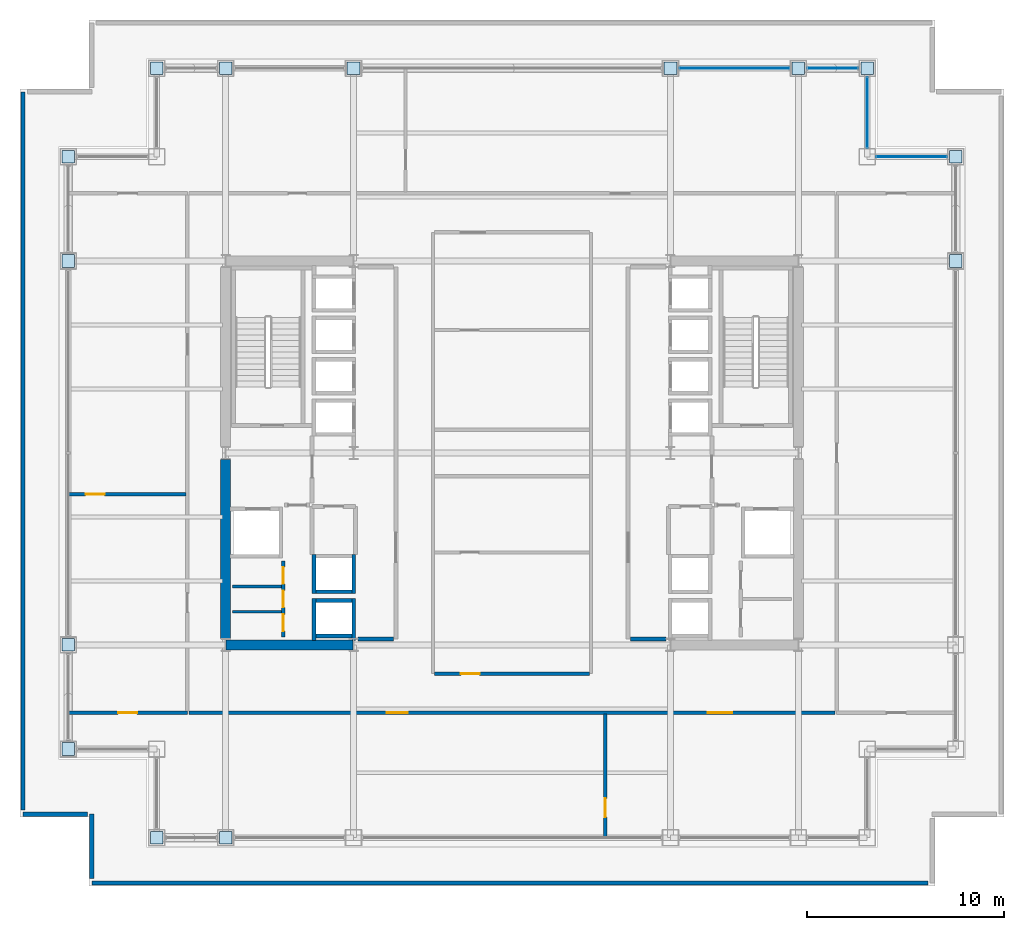
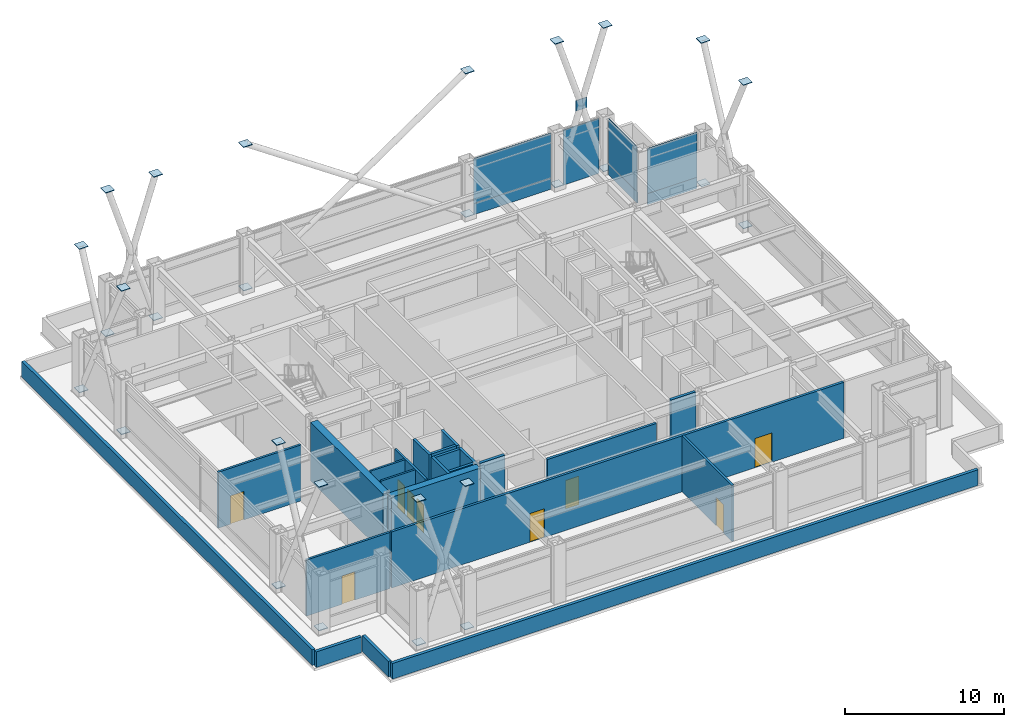
# One storey, part 28 of 32: 36 plates, 23 walls, 9 doors, 9 openings, 4 elements without a shape of their own.
"""IFC4 building model written with IfcOpenShell, lengths in metres."""

from ifc_helpers import new_model, si_unit, direction, frame, frame_2d, origin, origin_2d, place, context, subcontext, project, spatial, rectangle, extrude, material, layer, layer_set, type_object, element, fill, aggregate, save


model = new_model("IFC4")

# Units and contexts
model_context = context("Model", 3, precision=1e-05, world=origin(), true_north=direction((0.0, 1.0)))
body_context = subcontext(model_context, "Body", "Model", "MODEL_VIEW")
ifc_project = project(units=[si_unit("LENGTHUNIT", "METRE"), si_unit("AREAUNIT", "SQUARE_METRE"), si_unit("VOLUMEUNIT", "CUBIC_METRE"), si_unit("PLANEANGLEUNIT", "RADIAN"), si_unit("MASSUNIT", "GRAM", prefix="KILO")], contexts=[model_context])

# Site, building, storey
site_placement = place(None, origin())
site = spatial("IfcSite", under=ifc_project, at=site_placement, CompositionType="ELEMENT")
building_placement = place(site_placement, origin())
building = spatial("IfcBuilding", under=site, at=building_placement, Name="Brelmoor Portico Tower", CompositionType="ELEMENT")
storey_placement = place(building_placement, frame((0.0, 0.0, 87.300048828125)))
storey = spatial("IfcBuildingStorey", under=building, at=storey_placement, Name="L22", CompositionType="ELEMENT", Elevation=87.300048828125)

# Plates
ifc_material_1 = material(Name="Steel Q355B", Category="steel")
ifc_layer_1 = layer(ifc_material_1, 0.044921875)
ifc_layer_set_1 = layer_set([ifc_layer_1], Name="Steel Q355B")
plate_type_1 = type_object("IfcPlateType", Name="PT-CAP-650", PredefinedType="SHEET", material=ifc_layer_set_1)
for number, where, z_axis, x_axis, name in (
    (1, (-18.050048828125, -19.550048828125, 0.2275390625), (0.0, 0.0, 1.0), (1.0, 0.0, 0.0), "L22 Continuous Mega-X Brace 043A Joint Cap Plate 1"),
    (2, (-14.550048828125, -19.550048828125, 11.2275390625), (0.0, 0.0, 1.0), (1.0, 0.0, 0.0), "L22 Continuous Mega-X Brace 043A Joint Cap Plate 2"),
    (3, (-14.550048828125, -19.550048828125, 0.2275390625), (0.0, 0.0, 1.0), (1.0, 0.0, 0.0), "L22 Split Mega-X Brace 043B1 Joint Cap Plate 1"),
    (4, (-18.050048828125, -19.550048828125, 11.2275390625), (0.0, 0.0, 1.0), (1.0, 0.0, 0.0), "L22 Split Mega-X Brace 043B2 Joint Cap Plate 2"),
    (5, (-18.050048828125, 19.550048828125, 0.2275390625), (0.0, 0.0, 1.0), (1.0, 0.0, 0.0), "L22 Continuous Mega-X Brace 044A Joint Cap Plate 1"),
    (6, (-14.550048828125, 19.550048828125, 11.2275390625), (0.0, 0.0, 1.0), (1.0, 0.0, 0.0), "L22 Continuous Mega-X Brace 044A Joint Cap Plate 2"),
    (7, (-14.550048828125, 19.550048828125, 0.2275390625), (0.0, 0.0, 1.0), (1.0, 0.0, 0.0), "L22 Split Mega-X Brace 044B1 Joint Cap Plate 1"),
    (8, (-18.050048828125, 19.550048828125, 11.2275390625), (0.0, 0.0, 1.0), (1.0, 0.0, 0.0), "L22 Split Mega-X Brace 044B2 Joint Cap Plate 2"),
    (9, (-8.050048828125, 19.550048828125, 0.2275390625), (0.0, 0.0, 1.0), (1.0, 0.0, 0.0), "L22 Continuous Mega-X Brace 045A Joint Cap Plate 1"),
    (10, (8.050048828125, 19.550048828125, 11.2275390625), (0.0, 0.0, 1.0), (1.0, 0.0, 0.0), "L22 Continuous Mega-X Brace 045A Joint Cap Plate 2"),
    (11, (8.050048828125, 19.550048828125, 0.2275390625), (0.0, 0.0, 1.0), (1.0, 0.0, 0.0), "L22 Split Mega-X Brace 045B1 Joint Cap Plate 1"),
    (12, (-8.050048828125, 19.550048828125, 11.2275390625), (0.0, 0.0, 1.0), (1.0, 0.0, 0.0), "L22 Split Mega-X Brace 045B2 Joint Cap Plate 2"),
    (13, (14.550048828125, 19.550048828125, 0.2275390625), (0.0, 0.0, 1.0), (1.0, 0.0, 0.0), "L22 Continuous Mega-X Brace 046A Joint Cap Plate 1"),
    (14, (18.050048828125, 19.550048828125, 11.2275390625), (0.0, 0.0, 1.0), (1.0, 0.0, 0.0), "L22 Continuous Mega-X Brace 046A Joint Cap Plate 2"),
    (15, (18.050048828125, 19.550048828125, 0.2275390625), (0.0, 0.0, 1.0), (1.0, 0.0, 0.0), "L22 Split Mega-X Brace 046B1 Joint Cap Plate 1"),
    (16, (14.550048828125, 19.550048828125, 11.2275390625), (0.0, 0.0, 1.0), (1.0, 0.0, 0.0), "L22 Split Mega-X Brace 046B2 Joint Cap Plate 2"),
    (17, (-22.550048828125, -15.050048828125, 0.2275390625), (0.0, 0.0, 1.0), (1.0, 0.0, 0.0), "L22 Continuous Mega-X Brace 047A Joint Cap Plate 1"),
    (18, (-22.550048828125, -9.75, 11.2275390625), (0.0, 0.0, 1.0), (1.0, 0.0, 0.0), "L22 Continuous Mega-X Brace 047A Joint Cap Plate 2"),
    (19, (-22.550048828125, -9.75, 0.2275390625), (0.0, 0.0, 1.0), (1.0, 0.0, 0.0), "L22 Split Mega-X Brace 047B1 Joint Cap Plate 1"),
    (20, (-22.550048828125, -15.050048828125, 11.2275390625), (0.0, 0.0, 1.0), (1.0, 0.0, 0.0), "L22 Split Mega-X Brace 047B2 Joint Cap Plate 2"),
    (21, (-22.550048828125, 9.75, 0.2275390625), (0.0, 0.0, 1.0), (1.0, 0.0, 0.0), "L22 Continuous Mega-X Brace 048A Joint Cap Plate 1"),
    (22, (-22.550048828125, 15.050048828125, 11.2275390625), (0.0, 0.0, 1.0), (1.0, 0.0, 0.0), "L22 Continuous Mega-X Brace 048A Joint Cap Plate 2"),
    (23, (-22.550048828125, 15.050048828125, 0.2275390625), (0.0, 0.0, 1.0), (1.0, 0.0, 0.0), "L22 Split Mega-X Brace 048B1 Joint Cap Plate 1"),
    (24, (-22.550048828125, 9.75, 11.2275390625), (0.0, 0.0, 1.0), (1.0, 0.0, 0.0), "L22 Split Mega-X Brace 048B2 Joint Cap Plate 2"),
    (25, (22.550048828125, 9.75, 0.2275390625), (0.0, 0.0, 1.0), (1.0, 0.0, 0.0), "L22 Continuous Mega-X Brace 049A Joint Cap Plate 1"),
    (26, (22.550048828125, 15.050048828125, 11.2275390625), (0.0, 0.0, 1.0), (1.0, 0.0, 0.0), "L22 Continuous Mega-X Brace 049A Joint Cap Plate 2"),
    (27, (22.550048828125, 15.050048828125, 0.2275390625), (0.0, 0.0, 1.0), (1.0, 0.0, 0.0), "L22 Split Mega-X Brace 049B1 Joint Cap Plate 1"),
    (28, (22.550048828125, 9.75, 11.2275390625), (0.0, 0.0, 1.0), (1.0, 0.0, 0.0), "L22 Split Mega-X Brace 049B2 Joint Cap Plate 2"),
):
    element("IfcPlate", number, at=place(storey_placement, frame(where, z_axis=z_axis, x_axis=x_axis)), inside=storey, type_object=plate_type_1, Name=name, PredefinedType="SHEET", context=body_context, shape_type="SweptSolid", body=[
        extrude(rectangle(XDim=0.64990234375, YDim=0.64990234375, at=origin_2d()), origin(), (0.0, 0.0, 1.0), 0.044921875),
    ])

# Curtain wall, plate
ifc_material_2 = material(Name="Anodised Aluminium Alloy 6063-T6", Category="aluminium")
ifc_layer_2 = layer(ifc_material_2, 0.179931640625)
ifc_layer_set_2 = layer_set([ifc_layer_2], Name="Anodised Aluminium Alloy 6063-T6")
curtain_wall_type_1 = type_object("IfcCurtainWallType", Name="CW-SKYLOBBY", PredefinedType="NOTDEFINED", material=ifc_layer_set_2)
curtain_wall_1_placement = place(storey_placement, origin())
curtain_wall_1 = element("IfcCurtainWall", 29, at=curtain_wall_1_placement, inside=storey, type_object=curtain_wall_type_1, Name="L22 Curtain Wall CW-L22-02-4", PredefinedType="NOTDEFINED")
ifc_material_3 = material(Name="Double-Silver Low-E Insulated Glazing", Category="glass")
ifc_layer_3 = layer(ifc_material_3, 0.035888671875)
ifc_layer_set_3 = layer_set([ifc_layer_3], Name="Double-Silver Low-E Insulated Glazing")
plate_type_2 = type_object("IfcPlateType", Name="PT-CW-GLASS", PredefinedType="CURTAIN_PANEL", material=ifc_layer_set_3)
plate_1_placement = place(storey_placement, frame((11.300048828125, 19.550048828125, 0.85009765625), z_axis=(0.0, 0.0, 1.0), x_axis=(1.0, 0.0, 0.0)))
plate_1 = element("IfcPlate", 30, at=plate_1_placement, type_object=plate_type_2, Name="CW-L22-02-4 Vision Glass Panel 00", PredefinedType="CURTAIN_PANEL", context=body_context, shape_type="SweptSolid", body=[
    extrude(rectangle(XDim=5.60009765625, YDim=0.035888671875, at=origin_2d()), origin(), (0.0, 0.0, 1.0), 3.449951171875),
])

ifc_layer_4 = layer(ifc_material_2, 0.179931640625)
ifc_layer_set_4 = layer_set([ifc_layer_4], Name="Anodised Aluminium Alloy 6063-T6")
curtain_wall_type_2 = type_object("IfcCurtainWallType", Name="CW-NOTCH-CHAMFER", PredefinedType="NOTDEFINED", material=ifc_layer_set_4)
curtain_wall_2_placement = place(storey_placement, origin())
curtain_wall_2 = element("IfcCurtainWall", 31, at=curtain_wall_2_placement, inside=storey, type_object=curtain_wall_type_2, Name="L22 Curtain Wall CWN-L22-NEH", PredefinedType="NOTDEFINED")
plate_2_placement = place(storey_placement, frame((20.300048828125, 15.050048828125, 0.85009765625), z_axis=(0.0, 0.0, 1.0), x_axis=(1.0, 0.0, 0.0)))
plate_2 = element("IfcPlate", 32, at=plate_2_placement, type_object=plate_type_2, Name="CWN-L22-NEH Vision Glass Panel 00", PredefinedType="CURTAIN_PANEL", context=body_context, shape_type="SweptSolid", body=[
    extrude(rectangle(XDim=3.60009765625, YDim=0.035888671875, at=origin_2d()), origin(), (0.0, 0.0, 1.0), 3.449951171875),
])

curtain_wall_3_placement = place(storey_placement, origin())
curtain_wall_3 = element("IfcCurtainWall", 33, at=curtain_wall_3_placement, inside=storey, type_object=curtain_wall_type_2, Name="L22 Curtain Wall CWN-L22-NEV", PredefinedType="NOTDEFINED")
plate_3_placement = place(storey_placement, frame((18.050048828125, 17.300048828125, 0.85009765625), z_axis=(0.0, 0.0, 1.0), x_axis=(0.0, 1.0, 0.0)))
plate_3 = element("IfcPlate", 34, at=plate_3_placement, type_object=plate_type_2, Name="CWN-L22-NEV Vision Glass Panel 00", PredefinedType="CURTAIN_PANEL", context=body_context, shape_type="SweptSolid", body=[
    extrude(rectangle(XDim=3.60009765625, YDim=0.035888671875, at=origin_2d()), origin(), (0.0, 0.0, 1.0), 3.449951171875),
])

# Plate
ifc_material_4 = material(Name="Pale Champagne Anodised Aluminium Panel", Category="aluminium")
ifc_layer_5 = layer(ifc_material_4, 0.050048828125)
ifc_layer_set_5 = layer_set([ifc_layer_5], Name="Pale Champagne Anodised Aluminium Panel")
plate_type_3 = type_object("IfcPlateType", Name="PT-CW-SPANDREL", PredefinedType="SHEET", material=ifc_layer_set_5)
plate_4_placement = place(storey_placement, frame((11.300048828125, 19.550048828125, 0.0), z_axis=(0.0, 0.0, 1.0), x_axis=(1.0, 0.0, 0.0)))
plate_4 = element("IfcPlate", 35, at=plate_4_placement, type_object=plate_type_3, Name="CW-L22-02-4 Spandrel Panel 00", PredefinedType="SHEET", context=body_context, shape_type="SweptSolid", body=[
    extrude(rectangle(XDim=5.60009765625, YDim=0.050048828125, at=origin_2d()), origin(), (0.0, 0.0, 1.0), 0.85009765625),
])

aggregate(curtain_wall_1, [plate_4, plate_1])

# Curtain wall, plate
ifc_layer_6 = layer(ifc_material_2, 0.179931640625)
ifc_layer_set_6 = layer_set([ifc_layer_6], Name="Anodised Aluminium Alloy 6063-T6")
curtain_wall_type_3 = type_object("IfcCurtainWallType", Name="CW-SKYLOBBY-XB", PredefinedType="NOTDEFINED", material=ifc_layer_set_6)
curtain_wall_4_placement = place(storey_placement, origin())
curtain_wall_4 = element("IfcCurtainWall", 36, at=curtain_wall_4_placement, inside=storey, type_object=curtain_wall_type_3, Name="L22 Curtain Wall CW-L22-02-5", PredefinedType="NOTDEFINED")
plate_5_placement = place(storey_placement, frame((16.300048828125, 19.550048828125, 0.0), z_axis=(0.0, 0.0, 1.0), x_axis=(1.0, 0.0, 0.0)))
plate_5 = element("IfcPlate", 37, at=plate_5_placement, type_object=plate_type_3, Name="CW-L22-02-5 Spandrel Panel 00", PredefinedType="SHEET", context=body_context, shape_type="SweptSolid", body=[
    extrude(rectangle(XDim=2.60009765625, YDim=0.050048828125, at=origin_2d()), origin(), (0.0, 0.0, 1.0), 4.219970703125),
])
aggregate(curtain_wall_4, [plate_5])

# Plate
plate_6_placement = place(storey_placement, frame((20.300048828125, 15.050048828125, 0.0), z_axis=(0.0, 0.0, 1.0), x_axis=(1.0, 0.0, 0.0)))
plate_6 = element("IfcPlate", 38, at=plate_6_placement, type_object=plate_type_3, Name="CWN-L22-NEH Spandrel Panel 00", PredefinedType="SHEET", context=body_context, shape_type="SweptSolid", body=[
    extrude(rectangle(XDim=3.60009765625, YDim=0.050048828125, at=origin_2d()), origin(), (0.0, 0.0, 1.0), 0.85009765625),
])

aggregate(curtain_wall_2, [plate_6, plate_2])

plate_7_placement = place(storey_placement, frame((18.050048828125, 17.300048828125, 0.0), z_axis=(0.0, 0.0, 1.0), x_axis=(0.0, 1.0, 0.0)))
plate_7 = element("IfcPlate", 39, at=plate_7_placement, type_object=plate_type_3, Name="CWN-L22-NEV Spandrel Panel 00", PredefinedType="SHEET", context=body_context, shape_type="SweptSolid", body=[
    extrude(rectangle(XDim=3.60009765625, YDim=0.050048828125, at=origin_2d()), origin(), (0.0, 0.0, 1.0), 0.85009765625),
])

aggregate(curtain_wall_3, [plate_7, plate_3])

ifc_layer_7 = layer(ifc_material_1, 0.050048828125)
ifc_layer_set_7 = layer_set([ifc_layer_7], Name="Steel Q355B")
plate_type_4 = type_object("IfcPlateType", Name="PT-GUSSET-800", PredefinedType="USERDEFINED", material=ifc_layer_set_7)
plate_8_placement = place(storey_placement, frame((16.300048828125, 19.550048828125, 5.35009765625), z_axis=(0.0, 0.0, 1.0), x_axis=(1.0, 0.0, 0.0)))
element("IfcPlate", 40, at=plate_8_placement, inside=storey, type_object=plate_type_4, Name="L22 Perimeter Mega-Brace Gusset 046", ObjectType="GUSSET PLATE", PredefinedType="USERDEFINED", context=body_context, shape_type="SweptSolid", body=[
    extrude(rectangle(XDim=0.800048828125, YDim=0.050048828125, at=origin_2d()), origin(), (0.0, 0.0, 1.0), 0.800048828125),
])

# Walls
ifc_material_5 = material(Name="Concrete C60", Category="concrete")
ifc_layer_8 = layer(ifc_material_5, 0.5)
ifc_layer_set_8 = layer_set([ifc_layer_8], Name="Concrete C60")
wall_type_1 = type_object("IfcWallType", Name="WL-CORE-500", PredefinedType="SHEAR", material=ifc_layer_set_8)
wall_1_placement = place(storey_placement, frame((-14.530029296875, -9.75, -0.199951171875), z_axis=(0.0, 0.0, 1.0), x_axis=(1.0, 0.0, 0.0)))
element("IfcWall", 41, at=wall_1_placement, inside=storey, type_object=wall_type_1, Name="L22 WC South Shear Wall", PredefinedType="SHEAR", context=body_context, shape_type="SweptSolid", body=[
    extrude(rectangle(XDim=6.4599609375, YDim=0.5, at=frame_2d((3.22998046875, 0.0))), origin(), (0.0, 0.0, 1.0), 4.5),
])
wall_2_placement = place(storey_placement, frame((-14.550048828125, -9.425048828125, -0.199951171875), z_axis=(0.0, 0.0, 1.0), x_axis=(0.0, 1.0, 0.0)))
element("IfcWall", 42, at=wall_2_placement, inside=storey, type_object=wall_type_1, Name="L22 WC Outer South Shear Wall", PredefinedType="SHEAR", context=body_context, shape_type="SweptSolid", body=[
    extrude(rectangle(XDim=9.10009765625, YDim=0.5, at=frame_2d((4.550048828125, 0.0))), origin(), (0.0, 0.0, 1.0), 4.5),
])
ifc_material_6 = material(Name="Concrete C40 Parapet Upstand", Category="concrete")
ifc_layer_9 = layer(ifc_material_6, 0.219970703125)
ifc_layer_set_9 = layer_set([ifc_layer_9], Name="Concrete C40 Parapet Upstand")
wall_type_2 = type_object("IfcWallType", Name="WL-PARAPET-220", PredefinedType="PARAPET", material=ifc_layer_set_9)
wall_3_placement = place(storey_placement, frame((-21.35009765625, -21.85009765625, 0.0), z_axis=(0.0, 0.0, 1.0), x_axis=(1.0, 0.0, 0.0)))
element("IfcWall", 43, at=wall_3_placement, inside=storey, type_object=wall_type_2, Name="L22 Roof Parapet Wall 01", PredefinedType="PARAPET", context=body_context, shape_type="SweptSolid", body=[
    extrude(rectangle(XDim=42.47998046875, YDim=0.219970703125, at=frame_2d((21.239990234375, 0.0))), origin(), (0.0, 0.0, 1.0), 1.199951171875),
])
wall_4_placement = place(storey_placement, frame((-24.85009765625, 18.35009765625, 0.0), z_axis=(0.0, 0.0, 1.0), x_axis=(0.0, -1.0, 0.0)))
element("IfcWall", 44, at=wall_4_placement, inside=storey, type_object=wall_type_2, Name="L22 Roof Parapet Wall 10", PredefinedType="PARAPET", context=body_context, shape_type="SweptSolid", body=[
    extrude(rectangle(XDim=36.47998046875, YDim=0.219970703125, at=frame_2d((18.239990234375, 0.0))), origin(), (0.0, 0.0, 1.0), 1.199951171875),
])
wall_5_placement = place(storey_placement, frame((-24.85009765625, -18.35009765625, 0.0), z_axis=(0.0, 0.0, 1.0), x_axis=(1.0, 0.0, 0.0)))
element("IfcWall", 45, at=wall_5_placement, inside=storey, type_object=wall_type_2, Name="L22 Roof Parapet Wall 11", PredefinedType="PARAPET", context=body_context, shape_type="SweptSolid", body=[
    extrude(rectangle(XDim=3.280029296875, YDim=0.219970703125, at=frame_2d((1.64013671875, 0.0))), origin(), (0.0, 0.0, 1.0), 1.199951171875),
])
wall_6_placement = place(storey_placement, frame((-21.35009765625, -18.35009765625, 0.0), z_axis=(0.0, 0.0, 1.0), x_axis=(0.0, -1.0, 0.0)))
element("IfcWall", 46, at=wall_6_placement, inside=storey, type_object=wall_type_2, Name="L22 Roof Parapet Wall 12", PredefinedType="PARAPET", context=body_context, shape_type="SweptSolid", body=[
    extrude(rectangle(XDim=3.27978515625, YDim=0.219970703125, at=frame_2d((1.639892578125, 0.0))), origin(), (0.0, 0.0, 1.0), 1.199951171875),
])
ifc_material_7 = material(Name="Insulated Stud Suite Partition", Category="gypsum")
ifc_layer_10 = layer(ifc_material_7, 0.139892578125)
ifc_layer_set_10 = layer_set([ifc_layer_10], Name="Insulated Stud Suite Partition")
wall_type_3 = type_object("IfcWallType", Name="WL-PART-140", PredefinedType="PARTITIONING", material=ifc_layer_set_10)
for number, where, z_axis, x_axis, name in (
    (47, (-11.699951171875, -8.066650390625, 0.0), (0.0, 0.0, 1.0), (-1.0, 0.0, 0.0), "L22 W Core WC Divider 1"),
    (48, (-11.699951171875, -6.783203125, 0.0), (0.0, 0.0, 1.0), (-1.0, 0.0, 0.0), "L22 W Core WC Divider 2"),
):
    element("IfcWall", number, at=place(storey_placement, frame(where, z_axis=z_axis, x_axis=x_axis)), inside=storey, type_object=wall_type_3, Name=name, PredefinedType="PARTITIONING", context=body_context, shape_type="SweptSolid", body=[
        extrude(rectangle(XDim=2.5, YDim=0.139892578125, at=frame_2d((1.25, 0.0))), origin(), (0.0, 0.0, 1.0), 4.300048828125),
    ])

# Wall, openings, doors
ifc_material_8 = material(Name="Twin-Frame Acoustic Partition", Category="gypsum")
ifc_layer_11 = layer(ifc_material_8, 0.159912109375)
ifc_layer_set_11 = layer_set([ifc_layer_11], Name="Twin-Frame Acoustic Partition")
wall_type_4 = type_object("IfcWallType", Name="WL-PART-160", PredefinedType="PARTITIONING", material=ifc_layer_set_11)
wall_7_placement = place(storey_placement, frame((-11.6201171875, -9.35009765625, 0.0), z_axis=(0.0, 0.0, 1.0), x_axis=(0.0, 1.0, 0.0)))
wall_7 = element("IfcWall", 49, at=wall_7_placement, inside=storey, type_object=wall_type_4, Name="L22 W Core Service Front Wall", PredefinedType="PARTITIONING", context=body_context, shape_type="SweptSolid", body=[
    extrude(rectangle(XDim=3.85009765625, YDim=0.159912109375, at=frame_2d((1.925048828125, 0.0))), origin(), (0.0, 0.0, 1.0), 4.300048828125),
])
opening_1_placement = place(wall_7_placement, frame((0.300048828125, 0.0, 0.0)))
opening_1 = element("IfcOpeningElement", 50, at=opening_1_placement, cuts=wall_7, Name="Opening D-WC1", PredefinedType="OPENING", context=body_context, shape_type="SweptSolid", body=[
    extrude(rectangle(XDim=0.85009765625, YDim=2.1201171875, at=frame_2d((0.425048828125, 1.06005859375))), frame((0.0, 0.08984375, 0.0), z_axis=(0.0, -1.0, 0.0), x_axis=(1.0, 0.0, 0.0)), (0.0, 0.0, 1.0), 0.179931640625),
])
opening_2_placement = place(wall_7_placement, frame((1.5, 0.0, 0.0)))
opening_2 = element("IfcOpeningElement", 51, at=opening_2_placement, cuts=wall_7, Name="Opening D-WC1", PredefinedType="OPENING", context=body_context, shape_type="SweptSolid", body=[
    extrude(rectangle(XDim=0.85009765625, YDim=2.1201171875, at=frame_2d((0.425048828125, 1.06005859375))), frame((0.0, 0.08984375, 0.0), z_axis=(0.0, -1.0, 0.0), x_axis=(1.0, 0.0, 0.0)), (0.0, 0.0, 1.0), 0.179931640625),
])
opening_3_placement = place(wall_7_placement, frame((2.699951171875, 0.0, 0.0)))
opening_3 = element("IfcOpeningElement", 52, at=opening_3_placement, cuts=wall_7, Name="Opening D-WC1", PredefinedType="OPENING", context=body_context, shape_type="SweptSolid", body=[
    extrude(rectangle(XDim=0.85009765625, YDim=2.1201171875, at=frame_2d((0.425048828125, 1.06005859375))), frame((0.0, 0.08984375, 0.0), z_axis=(0.0, -1.0, 0.0), x_axis=(1.0, 0.0, 0.0)), (0.0, 0.0, 1.0), 0.179931640625),
])
ifc_material_9 = material(Name="Moisture-Resistant Laminate WC Door", Category="timber")
door_type_1 = type_object("IfcDoorType", Name="DR-WC-850", OperationType="NOTDEFINED", PredefinedType="DOOR", material=ifc_material_9)
door_1_placement = place(opening_1_placement, origin())
door_1 = element("IfcDoor", 53, at=door_1_placement, inside=storey, type_object=door_type_1, Name="D-0981 L22 W Accessible WC Door", OperationType="SINGLE_SWING_RIGHT", OverallHeight=2.1201171875, OverallWidth=0.85009765625, PredefinedType="DOOR", context=body_context, shape_type="SweptSolid", body=[
    extrude(rectangle(XDim=0.85009765625, YDim=2.1201171875, at=frame_2d((0.425048828125, 1.06005859375))), frame((0.0, 0.02490234375, 0.0), z_axis=(0.0, -1.0, 0.0), x_axis=(1.0, 0.0, 0.0)), (0.0, 0.0, 1.0), 0.050048828125),
])
fill(opening_1, door_1)
door_2_placement = place(opening_2_placement, origin())
door_2 = element("IfcDoor", 54, at=door_2_placement, inside=storey, type_object=door_type_1, Name="D-0982 L22 W Staff WC Door", OperationType="SINGLE_SWING_LEFT", OverallHeight=2.1201171875, OverallWidth=0.85009765625, PredefinedType="DOOR", context=body_context, shape_type="SweptSolid", body=[
    extrude(rectangle(XDim=0.85009765625, YDim=2.1201171875, at=frame_2d((0.425048828125, 1.06005859375))), frame((0.0, 0.02490234375, 0.0), z_axis=(0.0, -1.0, 0.0), x_axis=(1.0, 0.0, 0.0)), (0.0, 0.0, 1.0), 0.050048828125),
])
fill(opening_2, door_2)
door_3_placement = place(opening_3_placement, origin())
door_3 = element("IfcDoor", 55, at=door_3_placement, inside=storey, type_object=door_type_1, Name="D-0983 L22 W Cleaner Store Door", OperationType="SINGLE_SWING_RIGHT", OverallHeight=2.1201171875, OverallWidth=0.85009765625, PredefinedType="DOOR", context=body_context, shape_type="SweptSolid", body=[
    extrude(rectangle(XDim=0.85009765625, YDim=2.1201171875, at=frame_2d((0.425048828125, 1.06005859375))), frame((0.0, 0.02490234375, 0.0), z_axis=(0.0, -1.0, 0.0), x_axis=(1.0, 0.0, 0.0)), (0.0, 0.0, 1.0), 0.050048828125),
])
fill(opening_3, door_3)

# Wall, opening, door
wall_8_placement = place(storey_placement, frame((4.73486328125, -19.56005859375, 0.0), z_axis=(0.0, 0.0, 1.0), x_axis=(0.0, 1.0, 0.0)))
wall_8 = element("IfcWall", 56, at=wall_8_placement, inside=storey, type_object=wall_type_4, Name="L22 South Suite Partition 1", PredefinedType="PARTITIONING", context=body_context, shape_type="SweptSolid", body=[
    extrude(rectangle(XDim=6.300048828125, YDim=0.159912109375, at=frame_2d((3.14990234375, 0.0))), origin(), (0.0, 0.0, 1.0), 4.300048828125),
])
opening_4_placement = place(wall_8_placement, frame((1.050048828125, 0.0, 0.0)))
opening_4 = element("IfcOpeningElement", 57, at=opening_4_placement, cuts=wall_8, Name="Opening D-IN2", PredefinedType="OPENING", context=body_context, shape_type="SweptSolid", body=[
    extrude(rectangle(XDim=0.9599609375, YDim=2.179931640625, at=frame_2d((0.47998046875, 1.08984375))), frame((0.0, 0.08984375, 0.0), z_axis=(0.0, -1.0, 0.0), x_axis=(1.0, 0.0, 0.0)), (0.0, 0.0, 1.0), 0.179931640625),
])
ifc_material_10 = material(Name="Lacquered Timber Suite Door", Category="wood")
door_type_2 = type_object("IfcDoorType", Name="DR-INT-950", OperationType="NOTDEFINED", PredefinedType="DOOR", material=ifc_material_10)
door_4_placement = place(opening_4_placement, origin())
door_4 = element("IfcDoor", 58, at=door_4_placement, inside=storey, type_object=door_type_2, Name="D-0997 L22 South Suite Connecting Door 1", OperationType="SINGLE_SWING_LEFT", OverallHeight=2.179931640625, OverallWidth=0.9599609375, PredefinedType="DOOR", context=body_context, shape_type="SweptSolid", body=[
    extrude(rectangle(XDim=0.9599609375, YDim=2.179931640625, at=frame_2d((0.47998046875, 1.08984375))), frame((0.0, 0.02490234375, 0.0), z_axis=(0.0, -1.0, 0.0), x_axis=(1.0, 0.0, 0.0)), (0.0, 0.0, 1.0), 0.050048828125),
])
fill(opening_4, door_4)

wall_9_placement = place(storey_placement, frame((-22.56005859375, -13.199951171875, 0.0), z_axis=(0.0, 0.0, 1.0), x_axis=(1.0, 0.0, 0.0)))
wall_9 = element("IfcWall", 59, at=wall_9_placement, inside=storey, type_object=wall_type_4, Name="L22 South Outer Closure WL", PredefinedType="PARTITIONING", context=body_context, shape_type="SweptSolid", body=[
    extrude(rectangle(XDim=6.06005859375, YDim=0.159912109375, at=frame_2d((3.030029296875, 0.0))), origin(), (0.0, 0.0, 1.0), 4.300048828125),
])
opening_5_placement = place(wall_9_placement, frame((2.550048828125, 0.0, 0.0)))
opening_5 = element("IfcOpeningElement", 60, at=opening_5_placement, cuts=wall_9, Name="Opening D-IN2", PredefinedType="OPENING", context=body_context, shape_type="SweptSolid", body=[
    extrude(rectangle(XDim=0.9599609375, YDim=2.179931640625, at=frame_2d((0.47998046875, 1.08984375))), frame((0.0, 0.08984375, 0.0), z_axis=(0.0, -1.0, 0.0), x_axis=(1.0, 0.0, 0.0)), (0.0, 0.0, 1.0), 0.179931640625),
])
door_5_placement = place(opening_5_placement, origin())
door_5 = element("IfcDoor", 61, at=door_5_placement, inside=storey, type_object=door_type_2, Name="D-1001 L22 WL South Corner Suite Door", OperationType="SINGLE_SWING_RIGHT", OverallHeight=2.179931640625, OverallWidth=0.9599609375, PredefinedType="DOOR", context=body_context, shape_type="SweptSolid", body=[
    extrude(rectangle(XDim=0.9599609375, YDim=2.179931640625, at=frame_2d((0.47998046875, 1.08984375))), frame((0.0, 0.02490234375, 0.0), z_axis=(0.0, -1.0, 0.0), x_axis=(1.0, 0.0, 0.0)), (0.0, 0.0, 1.0), 0.050048828125),
])
fill(opening_5, door_5)

wall_10_placement = place(storey_placement, frame((-22.56005859375, -2.09912109375, 0.0), z_axis=(0.0, 0.0, 1.0), x_axis=(1.0, 0.0, 0.0)))
wall_10 = element("IfcWall", 62, at=wall_10_placement, inside=storey, type_object=wall_type_4, Name="L22 W Wing Partition 1", PredefinedType="PARTITIONING", context=body_context, shape_type="SweptSolid", body=[
    extrude(rectangle(XDim=6.0, YDim=0.159912109375, at=frame_2d((3.0, 0.0))), origin(), (0.0, 0.0, 1.0), 4.300048828125),
])
opening_6_placement = place(wall_10_placement, frame((0.89990234375, 0.0, 0.0)))
opening_6 = element("IfcOpeningElement", 63, at=opening_6_placement, cuts=wall_10, Name="Opening D-IN2", PredefinedType="OPENING", context=body_context, shape_type="SweptSolid", body=[
    extrude(rectangle(XDim=0.9599609375, YDim=2.179931640625, at=frame_2d((0.47998046875, 1.08984375))), frame((0.0, 0.08984375, 0.0), z_axis=(0.0, -1.0, 0.0), x_axis=(1.0, 0.0, 0.0)), (0.0, 0.0, 1.0), 0.179931640625),
])
door_6_placement = place(opening_6_placement, origin())
door_6 = element("IfcDoor", 64, at=door_6_placement, inside=storey, type_object=door_type_2, Name="D-1005 L22 W Wing Suite Connecting Door 1", OperationType="SINGLE_SWING_RIGHT", OverallHeight=2.179931640625, OverallWidth=0.9599609375, PredefinedType="DOOR", context=body_context, shape_type="SweptSolid", body=[
    extrude(rectangle(XDim=0.9599609375, YDim=2.179931640625, at=frame_2d((0.47998046875, 1.08984375))), frame((0.0, 0.02490234375, 0.0), z_axis=(0.0, -1.0, 0.0), x_axis=(1.0, 0.0, 0.0)), (0.0, 0.0, 1.0), 0.050048828125),
])
fill(opening_6, door_6)

ifc_material_11 = material(Name="Acoustic Corridor Fire Partition", Category="gypsum")
ifc_layer_12 = layer(ifc_material_11, 0.179931640625)
ifc_layer_set_12 = layer_set([ifc_layer_12], Name="Acoustic Corridor Fire Partition")
wall_type_5 = type_object("IfcWallType", Name="WL-PART-180", PredefinedType="PARTITIONING", material=ifc_layer_set_12)
wall_11_placement = place(storey_placement, frame((-3.949951171875, -11.219970703125, 0.0), z_axis=(0.0, 0.0, 1.0), x_axis=(1.0, 0.0, 0.0)))
wall_11 = element("IfcWall", 65, at=wall_11_placement, inside=storey, type_object=wall_type_5, Name="L22 Central Pantry Corridor Wall", PredefinedType="PARTITIONING", context=body_context, shape_type="SweptSolid", body=[
    extrude(rectangle(XDim=7.89990234375, YDim=0.179931640625, at=frame_2d((3.949951171875, 0.0))), origin(), (0.0, 0.0, 1.0), 4.300048828125),
])
opening_7_placement = place(wall_11_placement, frame((1.35009765625, 0.0, 0.0)))
opening_7 = element("IfcOpeningElement", 66, at=opening_7_placement, cuts=wall_11, Name="Opening D-IN2", PredefinedType="OPENING", context=body_context, shape_type="SweptSolid", body=[
    extrude(rectangle(XDim=0.9599609375, YDim=2.179931640625, at=frame_2d((0.47998046875, 1.08984375))), frame((0.0, 0.099853515625, 0.0), z_axis=(0.0, -1.0, 0.0), x_axis=(1.0, 0.0, 0.0)), (0.0, 0.0, 1.0), 0.199951171875),
])
door_7_placement = place(opening_7_placement, origin())
door_7 = element("IfcDoor", 67, at=door_7_placement, inside=storey, type_object=door_type_2, Name="D-0975 L22 Staff Pantry Door", OperationType="SINGLE_SWING_LEFT", OverallHeight=2.179931640625, OverallWidth=0.9599609375, PredefinedType="DOOR", context=body_context, shape_type="SweptSolid", body=[
    extrude(rectangle(XDim=0.9599609375, YDim=2.179931640625, at=frame_2d((0.47998046875, 1.08984375))), frame((0.0, 0.02490234375, 0.0), z_axis=(0.0, -1.0, 0.0), x_axis=(1.0, 0.0, 0.0)), (0.0, 0.0, 1.0), 0.050048828125),
])
fill(opening_7, door_7)

# Wall, openings, doors
wall_12_placement = place(storey_placement, frame((-16.39990234375, -13.199951171875, 0.0), z_axis=(0.0, 0.0, 1.0), x_axis=(1.0, 0.0, 0.0)))
wall_12 = element("IfcWall", 68, at=wall_12_placement, inside=storey, type_object=wall_type_5, Name="L22 South Corridor Partition", PredefinedType="PARTITIONING", context=body_context, shape_type="SweptSolid", body=[
    extrude(rectangle(XDim=32.7998046875, YDim=0.179931640625, at=frame_2d((16.39990234375, 0.0))), origin(), (0.0, 0.0, 1.0), 4.300048828125),
])
opening_8_placement = place(wall_12_placement, frame((10.037353515625, 0.0, 0.0)))
opening_8 = element("IfcOpeningElement", 69, at=opening_8_placement, cuts=wall_12, Name="Opening D-OF2", PredefinedType="OPENING", context=body_context, shape_type="SweptSolid", body=[
    extrude(rectangle(XDim=1.06005859375, YDim=2.199951171875, at=frame_2d((0.530029296875, 1.10009765625))), frame((0.0, 0.099853515625, 0.0), z_axis=(0.0, -1.0, 0.0), x_axis=(1.0, 0.0, 0.0)), (0.0, 0.0, 1.0), 0.199951171875),
])
opening_9_placement = place(wall_12_placement, frame((26.347412109375, 0.0, 0.0)))
opening_9 = element("IfcOpeningElement", 70, at=opening_9_placement, cuts=wall_12, Name="Opening D-SU1", PredefinedType="OPENING", context=body_context, shape_type="SweptSolid", body=[
    extrude(rectangle(XDim=1.239990234375, YDim=2.239990234375, at=frame_2d((0.6201171875, 1.1201171875))), frame((0.0, 0.099853515625, 0.0), z_axis=(0.0, -1.0, 0.0), x_axis=(1.0, 0.0, 0.0)), (0.0, 0.0, 1.0), 0.199951171875),
])
ifc_material_12 = material(Name="Hardwood Acoustic Veneer Door", Category="wood")
door_type_3 = type_object("IfcDoorType", Name="DR-OFFICE-1050", OperationType="NOTDEFINED", PredefinedType="DOOR", material=ifc_material_12)
door_8_placement = place(opening_8_placement, origin())
door_8 = element("IfcDoor", 71, at=door_8_placement, inside=storey, type_object=door_type_3, Name="D-0995 L22 South Concierge Consultation Suite 1 Door", OperationType="SINGLE_SWING_RIGHT", OverallHeight=2.199951171875, OverallWidth=1.06005859375, PredefinedType="DOOR", context=body_context, shape_type="SweptSolid", body=[
    extrude(rectangle(XDim=1.06005859375, YDim=2.199951171875, at=frame_2d((0.530029296875, 1.10009765625))), frame((0.0, 0.02490234375, 0.0), z_axis=(0.0, -1.0, 0.0), x_axis=(1.0, 0.0, 0.0)), (0.0, 0.0, 1.0), 0.050048828125),
])
fill(opening_8, door_8)
ifc_material_13 = material(Name="Glazed Timber Executive Suite Door", Category="wood")
door_type_4 = type_object("IfcDoorType", Name="DR-SUITE-1200", OperationType="NOTDEFINED", PredefinedType="DOOR", material=ifc_material_13)
door_9_placement = place(opening_9_placement, origin())
door_9 = element("IfcDoor", 72, at=door_9_placement, inside=storey, type_object=door_type_4, Name="D-0996 L22 South Records Archive Store 2 Door", OperationType="SINGLE_SWING_LEFT", OverallHeight=2.239990234375, OverallWidth=1.239990234375, PredefinedType="DOOR", context=body_context, shape_type="SweptSolid", body=[
    extrude(rectangle(XDim=1.239990234375, YDim=2.239990234375, at=frame_2d((0.6201171875, 1.1201171875))), frame((0.0, 0.02490234375, 0.0), z_axis=(0.0, -1.0, 0.0), x_axis=(1.0, 0.0, 0.0)), (0.0, 0.0, 1.0), 0.050048828125),
])
fill(opening_9, door_9)

# Walls
ifc_material_14 = material(Name="Double-Stud Gypsum Fire Partition", Category="gypsum")
ifc_layer_13 = layer(ifc_material_14, 0.199951171875)
ifc_layer_set_13 = layer_set([ifc_layer_13], Name="Double-Stud Gypsum Fire Partition")
wall_type_6 = type_object("IfcWallType", Name="WL-PART-200", PredefinedType="PARTITIONING", material=ifc_layer_set_13)
for number, where, z_axis, x_axis, name in (
    (73, (-6.02001953125, -9.449951171875, 0.0), (0.0, 0.0, 1.0), (-1.0, 0.0, 0.0), "L22 W Lift Lobby South End Wall"),
    (74, (6.02001953125, -9.449951171875, 0.0), (0.0, 0.0, 1.0), (1.0, 0.0, 0.0), "L22 E Lift Lobby South End Wall"),
):
    element("IfcWall", number, at=place(storey_placement, frame(where, z_axis=z_axis, x_axis=x_axis)), inside=storey, type_object=wall_type_6, Name=name, PredefinedType="PARTITIONING", context=body_context, shape_type="SweptSolid", body=[
        extrude(rectangle(XDim=1.800048828125, YDim=0.199951171875, at=frame_2d((0.89990234375, 0.0))), origin(), (0.0, 0.0, 1.0), 4.300048828125),
    ])
ifc_material_15 = material(Name="Precast Concrete C40", Category="concrete")
ifc_layer_14 = layer(ifc_material_15, 0.18994140625)
ifc_layer_set_14 = layer_set([ifc_layer_14], Name="Precast Concrete C40")
wall_type_7 = type_object("IfcWallType", Name="WL-SHAFT-180", PredefinedType="SOLIDWALL", material=ifc_layer_set_14)
for number, where, z_axis, x_axis, name in (
    (75, (-8.044921875, -9.52001953125, -0.199951171875), (0.0, 0.0, 1.0), (0.0, 1.0, 0.0), "L22 Lift PH1 Hoistway Front Wall"),
    (76, (-10.054931640625, -9.52001953125, -0.199951171875), (0.0, 0.0, 1.0), (0.0, 1.0, 0.0), "L22 Lift PH1 Hoistway Back Wall"),
):
    element("IfcWall", number, at=place(storey_placement, frame(where, z_axis=z_axis, x_axis=x_axis)), inside=storey, type_object=wall_type_7, Name=name, PredefinedType="SOLIDWALL", context=body_context, shape_type="SweptSolid", body=[
        extrude(rectangle(XDim=2.1201171875, YDim=0.18994140625, at=frame_2d((1.06005859375, 0.0))), origin(), (0.0, 0.0, 1.0), 4.5),
    ])
for number, where, z_axis, x_axis, name in (
    (77, (-10.14990234375, -7.4951171875, -0.199951171875), (0.0, 0.0, 1.0), (1.0, 0.0, 0.0), "L22 Lift PH1 Hoistway North Wall"),
    (78, (-10.14990234375, -9.304931640625, -0.199951171875), (0.0, 0.0, 1.0), (1.0, 0.0, 0.0), "L22 Lift PH1 Hoistway South Wall"),
):
    element("IfcWall", number, at=place(storey_placement, frame(where, z_axis=z_axis, x_axis=x_axis)), inside=storey, type_object=wall_type_7, Name=name, PredefinedType="SOLIDWALL", context=body_context, shape_type="SweptSolid", body=[
        extrude(rectangle(XDim=2.199951171875, YDim=0.18994140625, at=frame_2d((1.10009765625, 0.0))), origin(), (0.0, 0.0, 1.0), 4.5),
    ])
for number, where, z_axis, x_axis, name in (
    (79, (-8.044921875, -7.14990234375, -0.199951171875), (0.0, 0.0, 1.0), (0.0, 1.0, 0.0), "L22 Lift PH2 Hoistway Front Wall"),
    (80, (-10.054931640625, -7.14990234375, -0.199951171875), (0.0, 0.0, 1.0), (0.0, 1.0, 0.0), "L22 Lift PH2 Hoistway Back Wall"),
):
    element("IfcWall", number, at=place(storey_placement, frame(where, z_axis=z_axis, x_axis=x_axis)), inside=storey, type_object=wall_type_7, Name=name, PredefinedType="SOLIDWALL", context=body_context, shape_type="SweptSolid", body=[
        extrude(rectangle(XDim=2.0, YDim=0.18994140625, at=frame_2d((1.0, 0.0))), origin(), (0.0, 0.0, 1.0), 4.5),
    ])
wall_13_placement = place(storey_placement, frame((-10.14990234375, -7.054931640625, -0.199951171875), z_axis=(0.0, 0.0, 1.0), x_axis=(1.0, 0.0, 0.0)))
element("IfcWall", 81, at=wall_13_placement, inside=storey, type_object=wall_type_7, Name="L22 Lift PH2 Hoistway South Wall", PredefinedType="SOLIDWALL", context=body_context, shape_type="SweptSolid", body=[
    extrude(rectangle(XDim=2.199951171875, YDim=0.18994140625, at=frame_2d((1.10009765625, 0.0))), origin(), (0.0, 0.0, 1.0), 4.5),
])

save(model, "model.ifc")
